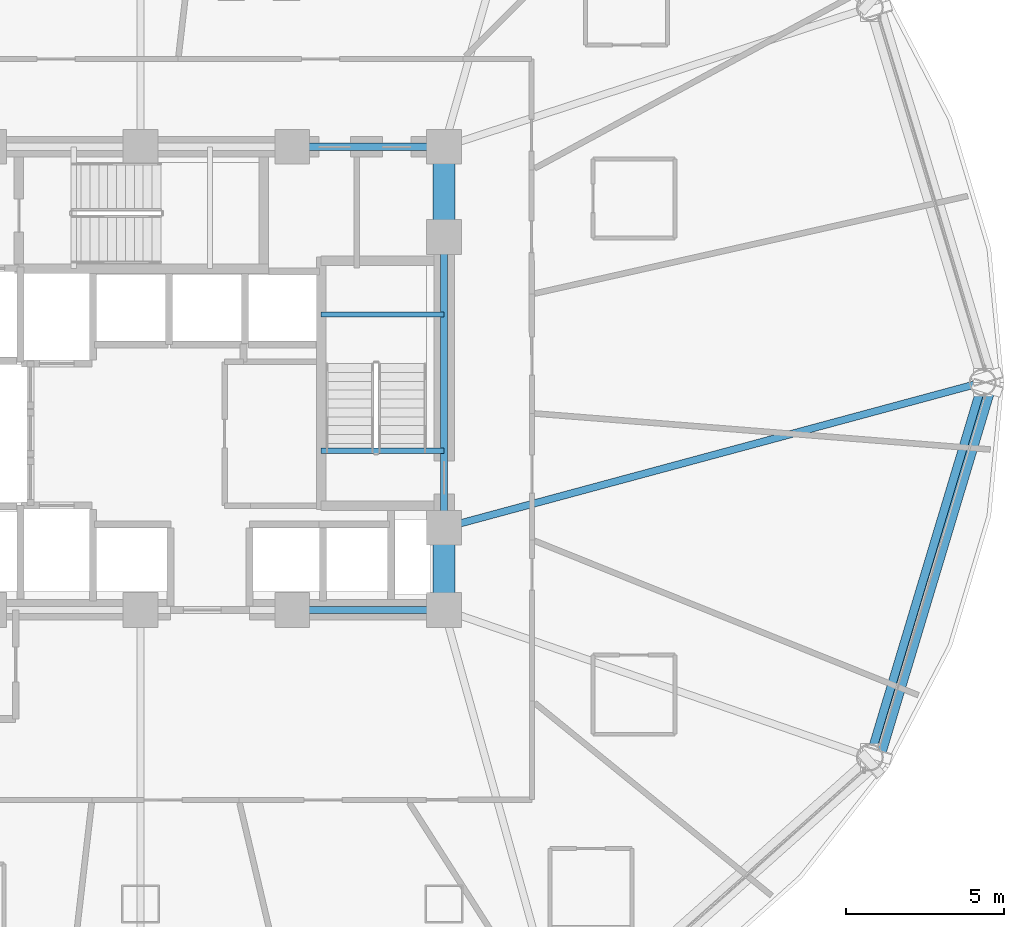
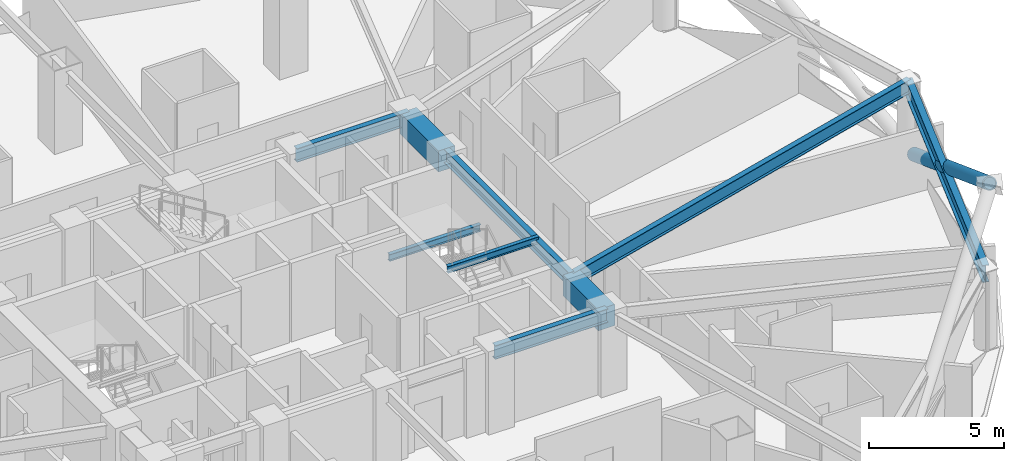
# One storey, part 13 of 31: 9 beams, 1 member.
"""IFC4 building model written with IfcOpenShell, lengths in metres."""

from ifc_helpers import new_model, si_unit, direction, frame, origin, origin_2d, place, context, subcontext, project, spatial, rectangle, hollow_circle, i_section, extrude, material, material_profile, profile_set, type_object, element, save


model = new_model("IFC4")

# Units and contexts
model_context = context("Model", 3, precision=1e-05, world=origin(), true_north=direction((0.0, 1.0)))
body_context = subcontext(model_context, "Body", "Model", "MODEL_VIEW")
ifc_project = project(units=[si_unit("LENGTHUNIT", "METRE"), si_unit("AREAUNIT", "SQUARE_METRE"), si_unit("VOLUMEUNIT", "CUBIC_METRE"), si_unit("PLANEANGLEUNIT", "RADIAN"), si_unit("MASSUNIT", "GRAM", prefix="KILO")], contexts=[model_context])

# Site, building, storey
site_placement = place(None, origin())
site = spatial("IfcSite", under=ifc_project, at=site_placement, CompositionType="ELEMENT")
building_placement = place(site_placement, origin())
building = spatial("IfcBuilding", under=site, at=building_placement, Name="Vantalir Tower", CompositionType="ELEMENT")
storey_placement = place(building_placement, frame((0.0, 0.0, 42.0)))
storey = spatial("IfcBuildingStorey", under=building, at=storey_placement, Name="L09", CompositionType="ELEMENT", Elevation=42.0)

# Beams
ifc_material_1 = material(Name="Concrete C60/75", Category="concrete")
ifc_material_profile_1 = material_profile(ifc_material_1, rectangle(XDim=0.699951171875, YDim=0.949951171875, at=origin_2d()), Name="Concrete C60/75")
ifc_profile_set_1 = profile_set([ifc_material_profile_1], Name="Concrete C60/75")
beam_type_1 = type_object("IfcBeamType", Name="BM-CB-700x950", PredefinedType="USERDEFINED", material=ifc_profile_set_1)
beam_1_placement = place(storey_placement, frame((41.10009765625, 17.800048828125, 3.094970703125), z_axis=(0.0, 1.0, 0.0), x_axis=(-1.0, 0.0, 0.0)))
element("IfcBeam", 1, at=beam_1_placement, inside=storey, type_object=beam_type_1, Name="L09 Core Coupling Girder 05", ObjectType="GIRDER", PredefinedType="USERDEFINED", context=body_context, shape_type="SweptSolid", body=[
    extrude(rectangle(XDim=0.699951171875, YDim=0.949951171875, at=origin_2d()), origin(), (0.0, 0.0, 1.0), 2.599853515625),
])
beam_2_placement = place(storey_placement, frame((41.10009765625, 29.60009765625, 3.094970703125), z_axis=(0.0, 1.0, 0.0), x_axis=(-1.0, 0.0, 0.0)))
element("IfcBeam", 2, at=beam_2_placement, inside=storey, type_object=beam_type_1, Name="L09 Core Coupling Girder 07", ObjectType="GIRDER", PredefinedType="USERDEFINED", context=body_context, shape_type="SweptSolid", body=[
    extrude(rectangle(XDim=0.699951171875, YDim=0.949951171875, at=origin_2d()), origin(), (0.0, 0.0, 1.0), 2.849853515625),
])
ifc_material_2 = material(Name="Steel S355", Category="steel")
ifc_material_profile_2 = material_profile(ifc_material_2, i_section(OverallWidth=0.166015625, OverallDepth=0.306884765625, WebThickness=0.006591796875, FlangeThickness=0.01171875, at=origin_2d()), Name="Steel S355")
ifc_profile_set_2 = profile_set([ifc_material_profile_2], Name="Steel S355")
beam_type_2 = type_object("IfcBeamType", Name="BM-JS-305x165", PredefinedType="JOIST", material=ifc_profile_set_2)
for number, where, z_axis, x_axis, name in (
    (3, (37.2099609375, 22.8349609375, 3.595947265625), (1.0, 0.0, 0.0), (0.0, 1.0, 0.0), "L10 Stair ST2 Well Nosing Trimmer Beam"),
    (4, (37.2099609375, 27.14501953125, 1.52099609375), (1.0, 0.0, 0.0), (0.0, 1.0, 0.0), "L09 Stair ST2 Half-Landing Support Beam"),
):
    element("IfcBeam", number, at=place(storey_placement, frame(where, z_axis=z_axis, x_axis=x_axis)), inside=storey, type_object=beam_type_2, Name=name, PredefinedType="JOIST", context=body_context, shape_type="SweptSolid", body=[
        extrude(i_section(OverallWidth=0.166015625, OverallDepth=0.306884765625, WebThickness=0.006591796875, FlangeThickness=0.01171875, at=origin_2d()), origin(), (0.0, 0.0, 1.0), 3.89013671875),
    ])
ifc_material_profile_3 = material_profile(ifc_material_2, i_section(OverallWidth=0.22998046875, OverallDepth=0.616943359375, WebThickness=0.01318359375, FlangeThickness=0.022216796875, at=origin_2d()), Name="Steel S355")
ifc_profile_set_3 = profile_set([ifc_material_profile_3], Name="Steel S355")
beam_type_3 = type_object("IfcBeamType", Name="BM-RB-610x229", PredefinedType="BEAM", material=ifc_profile_set_3)
beam_3_placement = place(storey_placement, frame((36.300048828125, 17.800048828125, 3.261962890625), z_axis=(1.0, 0.0, 0.0), x_axis=(0.0, 1.0, 0.0)))
element("IfcBeam", 5, at=beam_3_placement, inside=storey, type_object=beam_type_3, Name="L09 Core Coupling Girder 04", PredefinedType="BEAM", context=body_context, shape_type="SweptSolid", body=[
    extrude(i_section(OverallWidth=0.22998046875, OverallDepth=0.616943359375, WebThickness=0.01318359375, FlangeThickness=0.022216796875, at=origin_2d()), origin(), (0.0, 0.0, 1.0), 4.800048828125),
])
beam_4_placement = place(storey_placement, frame((41.10009765625, 20.39990234375, 3.261962890625), z_axis=(0.0, 1.0, 0.0), x_axis=(-1.0, 0.0, 0.0)))
element("IfcBeam", 6, at=beam_4_placement, inside=storey, type_object=beam_type_3, Name="L09 Core Coupling Girder 06", PredefinedType="BEAM", context=body_context, shape_type="SweptSolid", body=[
    extrude(i_section(OverallWidth=0.22998046875, OverallDepth=0.616943359375, WebThickness=0.01318359375, FlangeThickness=0.022216796875, at=origin_2d()), origin(), (0.0, 0.0, 1.0), 9.2001953125),
])
beam_5_placement = place(storey_placement, frame((41.10009765625, 32.449951171875, 3.261962890625), z_axis=(-1.0, 0.0, 0.0), x_axis=(0.0, -1.0, 0.0)))
element("IfcBeam", 7, at=beam_5_placement, inside=storey, type_object=beam_type_3, Name="L09 Core Coupling Girder 08", PredefinedType="BEAM", context=body_context, shape_type="SweptSolid", body=[
    extrude(i_section(OverallWidth=0.22998046875, OverallDepth=0.616943359375, WebThickness=0.01318359375, FlangeThickness=0.022216796875, at=origin_2d()), origin(), (0.0, 0.0, 1.0), 4.800048828125),
])
beam_6_placement = place(storey_placement, frame((58.138916015625, 25.0, 3.261962890625), z_axis=(-0.965434547817, -0.260645609749, 0.0), x_axis=(0.260645609749, -0.965434547817, 0.0)))
element("IfcBeam", 8, at=beam_6_placement, inside=storey, type_object=beam_type_3, Name="L09 Radial Floor Beam 01", PredefinedType="BEAM", context=body_context, shape_type="SweptSolid", body=[
    extrude(i_section(OverallWidth=0.22998046875, OverallDepth=0.616943359375, WebThickness=0.01318359375, FlangeThickness=0.022216796875, at=origin_2d()), origin(), (0.0, 0.0, 1.0), 17.64892578125),
])
ifc_material_3 = material(Name="Steel S460", Category="steel")
ifc_material_profile_4 = material_profile(ifc_material_3, i_section(OverallWidth=0.26806640625, OverallDepth=0.77001953125, WebThickness=0.015625, FlangeThickness=0.025390625, at=origin_2d()), Name="Steel S460")
ifc_profile_set_4 = profile_set([ifc_material_profile_4], Name="Steel S460")
beam_type_4 = type_object("IfcBeamType", Name="BM-RG-762x267", PredefinedType="USERDEFINED", material=ifc_profile_set_4)
beam_7_placement = place(storey_placement, frame((54.570068359375, 13.136962890625, 3.18505859375), z_axis=(0.288083666515, 0.957605242826, 0.0), x_axis=(-0.957605242826, 0.288083666515, 0.0)))
element("IfcBeam", 9, at=beam_7_placement, inside=storey, type_object=beam_type_4, Name="L09 Circumferential Ring Girder 12", ObjectType="GIRDER", PredefinedType="USERDEFINED", context=body_context, shape_type="SweptSolid", body=[
    extrude(i_section(OverallWidth=0.26806640625, OverallDepth=0.77001953125, WebThickness=0.015625, FlangeThickness=0.025390625, at=origin_2d()), origin(), (0.0, 0.0, 1.0), 12.38818359375),
])

# Member
ifc_material_profile_5 = material_profile(ifc_material_3, hollow_circle(Radius=0.27001953125, WallThickness=0.044921875, at=origin_2d()), Name="Steel S460")
ifc_profile_set_5 = profile_set([ifc_material_profile_5], Name="Steel S460")
member_type = type_object("IfcMemberType", Name="MEM-DB-540x45", PredefinedType="BRACE", material=ifc_profile_set_5)
member_placement = place(storey_placement, frame((58.27392578125, 24.81689453125, 0.18896484375), z_axis=(-0.249678116627, -0.830744006827, 0.497519078225), x_axis=(0.957681827063, -0.287828973719, 0.0)))
element("IfcMember", 10, at=member_placement, inside=storey, type_object=member_type, Name="L09 Perimeter S460 Diagrid Brace R01R", PredefinedType="BRACE", context=body_context, shape_type="SweptSolid", body=[
    extrude(hollow_circle(Radius=0.27001953125, WallThickness=0.044921875, at=origin_2d()), origin(), (0.0, 0.0, 1.0), 13.95361328125),
])

save(model, "model.ifc")
